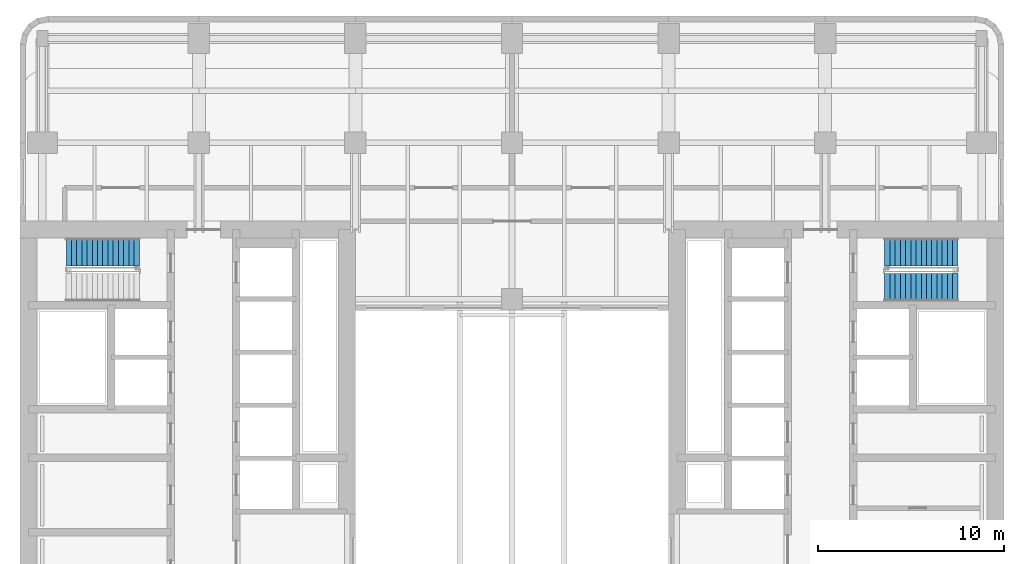
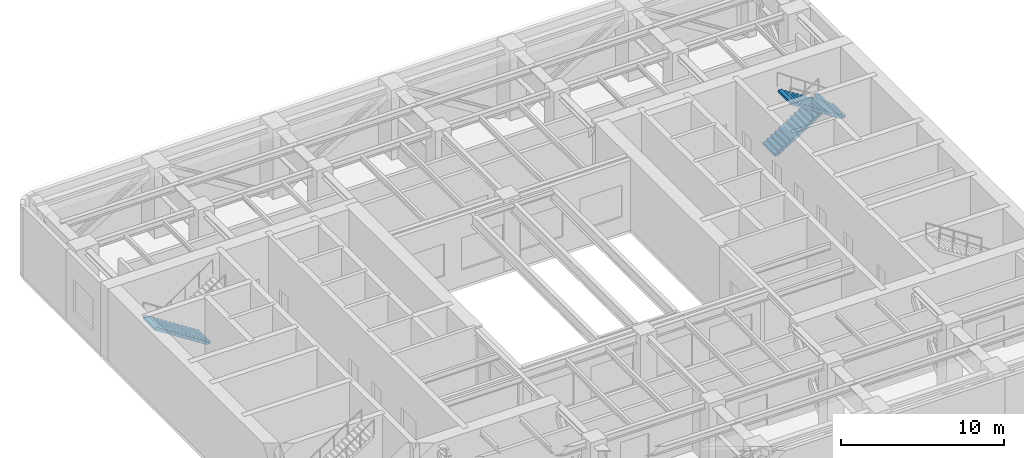
# One storey, part 7 of 10: 3 stair flights, 2 elements without a shape of their own.
"""IFC4 building model written with IfcOpenShell, lengths in metres."""

from ifc_helpers import new_model, si_unit, direction, frame, origin, place, context, subcontext, project, spatial, polyline, outline, extrude, material, type_object, element, aggregate, save


model = new_model("IFC4")

# Units and contexts
model_context = context("Model", 3, precision=1e-05, world=origin(), true_north=direction((0.0, 1.0)))
body_context = subcontext(model_context, "Body", "Model", "MODEL_VIEW")
ifc_project = project(units=[si_unit("LENGTHUNIT", "METRE"), si_unit("AREAUNIT", "SQUARE_METRE"), si_unit("VOLUMEUNIT", "CUBIC_METRE"), si_unit("PLANEANGLEUNIT", "RADIAN"), si_unit("MASSUNIT", "GRAM", prefix="KILO")], contexts=[model_context])

# Site, building, storey
site_placement = place(None, origin())
site = spatial("IfcSite", under=ifc_project, at=site_placement, CompositionType="ELEMENT")
building_placement = place(site_placement, origin())
building = spatial("IfcBuilding", under=site, at=building_placement, Name="Claustro Exchange Tower", CompositionType="ELEMENT")
storey_placement = place(building_placement, frame((0.0, 0.0, 168.0)))
storey = spatial("IfcBuildingStorey", under=building, at=storey_placement, Name="L38", CompositionType="ELEMENT", Elevation=168.0)

# Stair, stair flight
ifc_material_1 = material(Name="Concrete HA-30 (C30/37), precast", Category="concrete")
stair_type = type_object("IfcStairType", Name="ST3 half-turn stair, 30 risers of 180", PredefinedType="HALF_TURN_STAIR", material=ifc_material_1)
stair_1_placement = place(storey_placement, origin())
stair_1 = element("IfcStair", 1, at=stair_1_placement, inside=storey, type_object=stair_type, Name="Stair STWB L38", PredefinedType="HALF_TURN_STAIR")
ifc_material_2 = material(Name="Concrete HA-30 (C30/37), precast", Category="concrete")
stair_flight_type = type_object("IfcStairFlightType", Name="SF15 straight flight, 15 risers of 180, 1500 wide", PredefinedType="STRAIGHT", material=ifc_material_2)
stair_flight_1_placement = place(storey_placement, frame((5.199951171875, 36.14990234375, 0.0), z_axis=(0.0, 0.0, 1.0), x_axis=(-1.0, 0.0, 0.0)))
stair_flight_1 = element("IfcStairFlight", 2, at=stair_flight_1_placement, type_object=stair_flight_type, Name="STWB flight 1", NumberOfRisers=15, NumberOfTreads=14, PredefinedType="STRAIGHT", RiserHeight=0.18, TreadLength=0.28, context=body_context, shape_type="SweptSolid", body=[
    extrude(outline(polyline([(0.0, 0.0), (0.0, 0.179931640625), (0.280029296875, 0.179931640625), (0.280029296875, 0.360107421875), (0.56005859375, 0.360107421875), (0.56005859375, 0.5400390625), (0.840087890625, 0.5400390625), (0.840087890625, 0.719970703125), (1.1201171875, 0.719970703125), (1.1201171875, 0.89990234375), (1.39990234375, 0.89990234375), (1.39990234375, 1.080078125), (1.679931640625, 1.080078125), (1.679931640625, 1.260009765625), (1.9599609375, 1.260009765625), (1.9599609375, 1.43994140625), (2.239990234375, 1.43994140625), (2.239990234375, 1.6201171875), (2.52001953125, 1.6201171875), (2.52001953125, 1.800048828125), (2.800048828125, 1.800048828125), (2.800048828125, 1.97998046875), (3.080078125, 1.97998046875), (3.080078125, 2.159912109375), (3.360107421875, 2.159912109375), (3.360107421875, 2.340087890625), (3.639892578125, 2.340087890625), (3.639892578125, 2.52001953125), (3.919921875, 2.52001953125), (3.919921875, 2.699951171875), (3.919921875, 2.341796875), (0.277099609375, 0.0), (0.0, 0.0)])), frame((0.0, 0.75, 0.0), z_axis=(0.0, -1.0, 0.0), x_axis=(1.0, 0.0, 0.0)), (0.0, 0.0, 1.0), 1.5),
])
aggregate(stair_1, [stair_flight_1])

# Stair, stair flights
stair_2_placement = place(storey_placement, origin())
stair_2 = element("IfcStair", 3, at=stair_2_placement, inside=storey, type_object=stair_type, Name="Stair STEB L38", PredefinedType="HALF_TURN_STAIR")
stair_flight_2_placement = place(storey_placement, frame((45.199951171875, 36.14990234375, 0.0), z_axis=(0.0, 0.0, 1.0), x_axis=(1.0, 0.0, 0.0)))
stair_flight_2 = element("IfcStairFlight", 4, at=stair_flight_2_placement, type_object=stair_flight_type, Name="STEB flight 1", NumberOfRisers=15, NumberOfTreads=14, PredefinedType="STRAIGHT", RiserHeight=0.18, TreadLength=0.28, context=body_context, shape_type="SweptSolid", body=[
    extrude(outline(polyline([(0.0, 0.0), (0.0, 0.179931640625), (0.280029296875, 0.179931640625), (0.280029296875, 0.360107421875), (0.56005859375, 0.360107421875), (0.56005859375, 0.5400390625), (0.840087890625, 0.5400390625), (0.840087890625, 0.719970703125), (1.1201171875, 0.719970703125), (1.1201171875, 0.89990234375), (1.39990234375, 0.89990234375), (1.39990234375, 1.080078125), (1.679931640625, 1.080078125), (1.679931640625, 1.260009765625), (1.9599609375, 1.260009765625), (1.9599609375, 1.43994140625), (2.239990234375, 1.43994140625), (2.239990234375, 1.6201171875), (2.52001953125, 1.6201171875), (2.52001953125, 1.800048828125), (2.800048828125, 1.800048828125), (2.800048828125, 1.97998046875), (3.080078125, 1.97998046875), (3.080078125, 2.159912109375), (3.360107421875, 2.159912109375), (3.360107421875, 2.340087890625), (3.639892578125, 2.340087890625), (3.639892578125, 2.52001953125), (3.919921875, 2.52001953125), (3.919921875, 2.699951171875), (3.919921875, 2.341796875), (0.277099609375, 0.0), (0.0, 0.0)])), frame((0.0, 0.75, 0.0), z_axis=(0.0, -1.0, 0.0), x_axis=(1.0, 0.0, 0.0)), (0.0, 0.0, 1.0), 1.5),
])
stair_flight_3_placement = place(storey_placement, frame((49.1201171875, 34.25, 2.699951171875), z_axis=(0.0, 0.0, 1.0), x_axis=(-1.0, 0.0, 0.0)))
stair_flight_3 = element("IfcStairFlight", 5, at=stair_flight_3_placement, type_object=stair_flight_type, Name="STEB flight 2", NumberOfRisers=15, NumberOfTreads=14, PredefinedType="STRAIGHT", RiserHeight=0.18, TreadLength=0.28, context=body_context, shape_type="SweptSolid", body=[
    extrude(outline(polyline([(0.0, 0.0), (0.0, 0.179931640625), (0.280029296875, 0.179931640625), (0.280029296875, 0.360107421875), (0.56005859375, 0.360107421875), (0.56005859375, 0.5400390625), (0.840087890625, 0.5400390625), (0.840087890625, 0.719970703125), (1.1201171875, 0.719970703125), (1.1201171875, 0.89990234375), (1.39990234375, 0.89990234375), (1.39990234375, 1.080078125), (1.679931640625, 1.080078125), (1.679931640625, 1.260009765625), (1.9599609375, 1.260009765625), (1.9599609375, 1.43994140625), (2.239990234375, 1.43994140625), (2.239990234375, 1.6201171875), (2.52001953125, 1.6201171875), (2.52001953125, 1.800048828125), (2.800048828125, 1.800048828125), (2.800048828125, 1.97998046875), (3.080078125, 1.97998046875), (3.080078125, 2.159912109375), (3.360107421875, 2.159912109375), (3.360107421875, 2.340087890625), (3.639892578125, 2.340087890625), (3.639892578125, 2.52001953125), (3.919921875, 2.52001953125), (3.919921875, 2.699951171875), (3.919921875, 2.341796875), (0.277099609375, 0.0), (0.0, 0.0)])), frame((0.0, 0.75, 0.0), z_axis=(0.0, -1.0, 0.0), x_axis=(1.0, 0.0, 0.0)), (0.0, 0.0, 1.0), 1.5),
])
aggregate(stair_2, [stair_flight_2, stair_flight_3])

save(model, "model.ifc")
